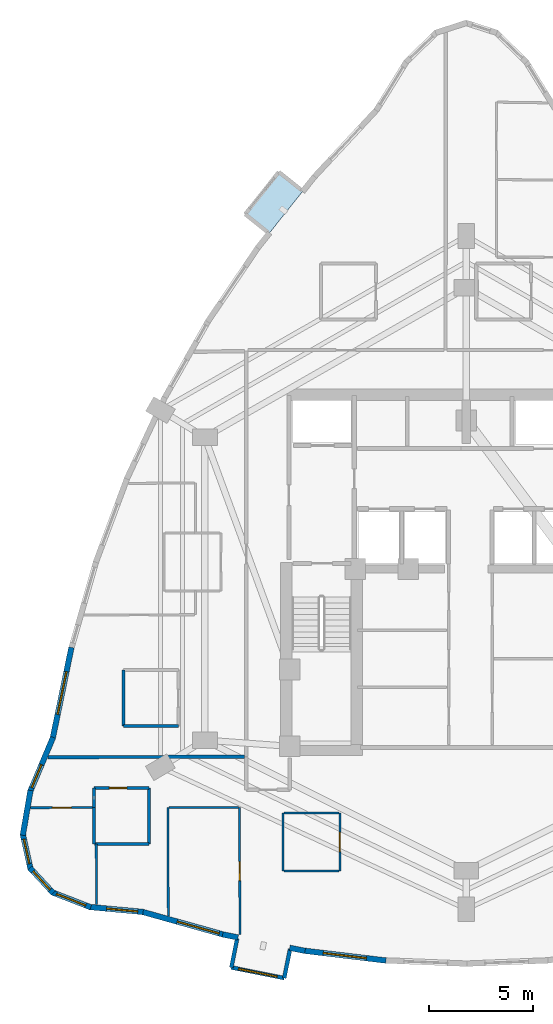
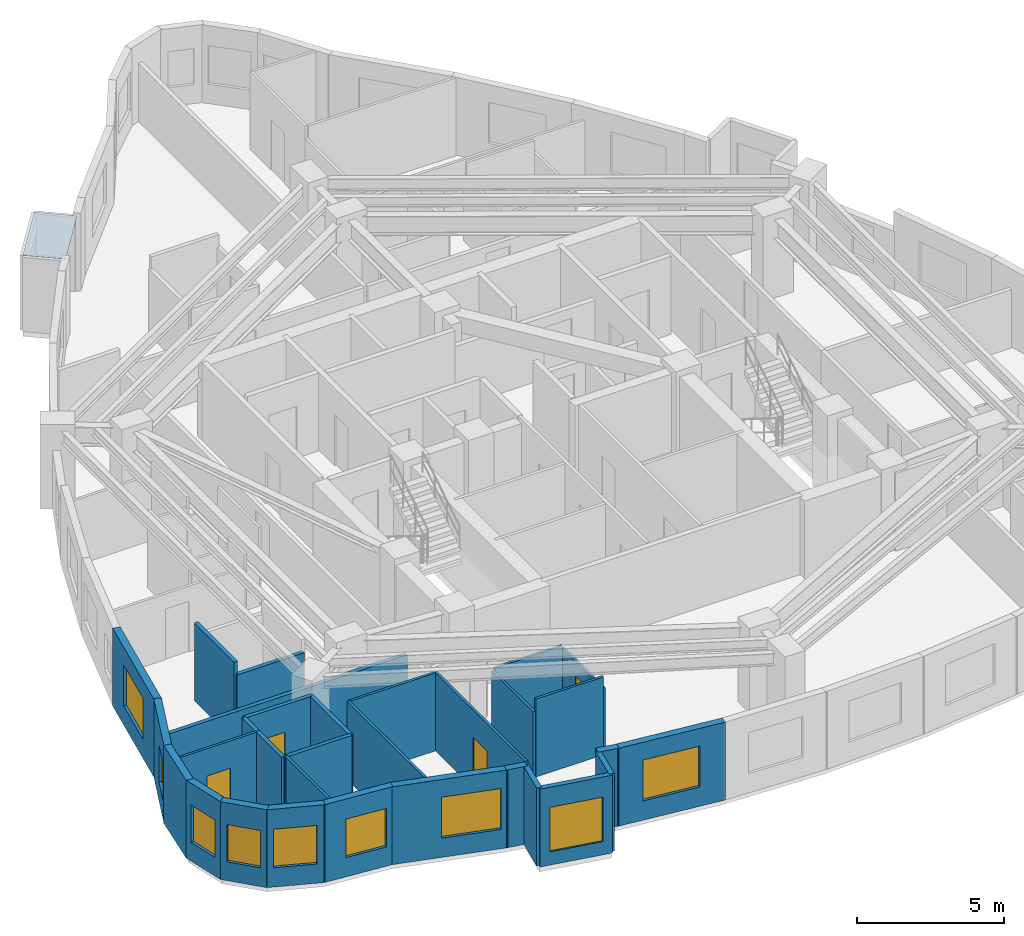
# One storey, part 5 of 11: 31 walls, 9 windows, 4 doors, 1 plate, 13 openings.
"""IFC4 building model written with IfcOpenShell, lengths in metres."""

from ifc_helpers import new_model, si_unit, direction, frame, frame_2d, origin, place, context, subcontext, project, spatial, polyline, rectangle, outline, extrude, material, layer, layer_set, type_object, element, fill, save


model = new_model("IFC4")

# Units and contexts
model_context = context("Model", 3, precision=1e-05, world=origin(), true_north=direction((0.0, 1.0)))
body_context = subcontext(model_context, "Body", "Model", "MODEL_VIEW")
ifc_project = project(units=[si_unit("LENGTHUNIT", "METRE"), si_unit("AREAUNIT", "SQUARE_METRE"), si_unit("VOLUMEUNIT", "CUBIC_METRE"), si_unit("PLANEANGLEUNIT", "RADIAN"), si_unit("MASSUNIT", "GRAM", prefix="KILO")], contexts=[model_context])

# Site, building, storey
site_placement = place(None, origin())
site = spatial("IfcSite", under=ifc_project, at=site_placement, CompositionType="ELEMENT")
building_placement = place(site_placement, origin())
building = spatial("IfcBuilding", under=site, at=building_placement, Name="Miruveldt Soraemaru", CompositionType="ELEMENT")
storey_placement = place(building_placement, frame((0.0, 0.0, 159.89990234375)))
storey = spatial("IfcBuildingStorey", under=building, at=storey_placement, Name="L44", CompositionType="ELEMENT", Elevation=159.89990234375)

# Plate
ifc_material_1 = material(Name="Standing-seam titanium-zinc sheet", Category="aluminium")
ifc_layer_1 = layer(ifc_material_1, 0.011962890625, Name="Standing-seam titanium-zinc sheet", Category="aluminium")
ifc_layer_set_1 = layer_set([ifc_layer_1], Name="Standing-seam titanium-zinc sheet")
plate_type = type_object("IfcPlateType", Name="PLT-ZINC-12", PredefinedType="SHEET", material=ifc_layer_set_1)
plate_placement = place(storey_placement, frame((0.0, 0.0, 3.085205078125)))
element("IfcPlate", 1, at=plate_placement, inside=storey, type_object=plate_type, Name="L44 Bay Window Zinc Hood Sheet 4", PredefinedType="SHEET", context=body_context, shape_type="SweptSolid", body=[
    extrude(outline(polyline([(36.125244140625, 62.258544921875), (34.50390625, 60.226318359375), (33.3466796875, 61.149169921875), (34.96826171875, 63.181640625), (36.125244140625, 62.258544921875)])), origin(), (0.0, 0.0, 1.0), 0.011962890625),
])

# Walls
ifc_material_2 = material(Name="White powder-coated aluminium EN AW-6060 T6", Category="aluminium")
ifc_layer_2 = layer(ifc_material_2, 0.18994140625, Name="White powder-coated aluminium EN AW-6060 T6", Category="aluminium")
ifc_layer_set_2 = layer_set([ifc_layer_2], Name="White powder-coated aluminium EN AW-6060 T6")
wall_type_1 = type_object("IfcWallType", Name="WALL-BAY-ALU190", PredefinedType="SOLIDWALL", material=ifc_layer_set_2)
for number, where, z_axis, x_axis, name in (
    (2, (32.960205078125, 26.23828125, 0.0), (0.0, 0.0, 1.0), (-0.195984352603, -0.980607022989, 0.0), "L44 Bay Window Side Cheek 1L"),
    (3, (35.230224609375, 24.330810546875, 0.0), (0.0, 0.0, 1.0), (0.196149079112, 0.980574086321, 0.0), "L44 Bay Window Side Cheek 1R"),
):
    element("IfcWall", number, at=place(storey_placement, frame(where, z_axis=z_axis, x_axis=x_axis)), inside=storey, type_object=wall_type_1, Name=name, PredefinedType="SOLIDWALL", context=body_context, shape_type="SweptSolid", body=[
        extrude(rectangle(XDim=1.425048828125, YDim=0.18994140625, at=frame_2d((0.71240234375, 0.0))), origin(), (0.0, 0.0, 1.0), 3.235107421875),
    ])

# Wall, opening, window
wall_1_placement = place(storey_placement, frame((32.680908203125, 24.8408203125, 0.0), z_axis=(0.0, 0.0, 1.0), x_axis=(0.980569838849, -0.196170311564, 0.0)))
wall_1 = element("IfcWall", 4, at=wall_1_placement, inside=storey, type_object=wall_type_1, Name="L44 Bay Window Front Frame 1", PredefinedType="SOLIDWALL", context=body_context, shape_type="SweptSolid", body=[
    extrude(rectangle(XDim=2.599853515625, YDim=0.18994140625, at=frame_2d((1.2998046875, 0.0))), origin(), (0.0, 0.0, 1.0), 3.235107421875),
])
opening_1_placement = place(wall_1_placement, frame((0.35009765625, 0.0, 0.550048828125)))
opening_1 = element("IfcOpeningElement", 5, at=opening_1_placement, cuts=wall_1, Name="Opening WN-6", PredefinedType="OPENING", context=body_context, shape_type="SweptSolid", body=[
    extrude(rectangle(XDim=1.89990234375, YDim=1.85009765625, at=frame_2d((0.949951171875, 0.925048828125))), frame((0.0, 0.10498046875, 0.0), z_axis=(0.0, -1.0, 0.0), x_axis=(1.0, 0.0, 0.0)), (0.0, 0.0, 1.0), 0.2099609375),
])
ifc_material_3 = material(Name="Triple low-e insulated glazing", Category="glass")
window_type_1 = type_object("IfcWindowType", Name="WIN-BAYW-1900x1850", PartitioningType="SINGLE_PANEL", PredefinedType="WINDOW", material=ifc_material_3)
window_1_placement = place(opening_1_placement, origin())
window_1 = element("IfcWindow", 6, at=window_1_placement, inside=storey, type_object=window_type_1, Name="L44 Projecting Bay Window 1", OverallHeight=1.85009765625, OverallWidth=1.89990234375, PartitioningType="SINGLE_PANEL", PredefinedType="WINDOW", context=body_context, shape_type="SweptSolid", body=[
    extrude(rectangle(XDim=1.89990234375, YDim=1.85009765625, at=frame_2d((0.949951171875, 0.925048828125))), frame((0.0, 0.030029296875, 0.0), z_axis=(0.0, -1.0, 0.0), x_axis=(1.0, 0.0, 0.0)), (0.0, 0.0, 1.0), 0.06005859375),
])
fill(opening_1, window_1)

ifc_material_4 = material(Name="Precast concrete C45/55 (45 MPa)", Category="concrete")
ifc_layer_3 = layer(ifc_material_4, 0.27001953125, Name="Precast concrete C45/55 (45 MPa)", Category="concrete")
ifc_layer_set_3 = layer_set([ifc_layer_3], Name="Precast concrete C45/55 (45 MPa)")
wall_type_2 = type_object("IfcWallType", Name="WALL-EXT-PC270", PredefinedType="SOLIDWALL", material=ifc_layer_set_3)
wall_2_placement = place(storey_placement, frame((24.970458984375, 40.267333984375, 0.0), z_axis=(0.0, 0.0, 1.0), x_axis=(-0.201559360884, -0.979476300908, 0.0)))
wall_2 = element("IfcWall", 7, at=wall_2_placement, inside=storey, type_object=wall_type_2, Name="L44 Precast Concrete Facade Wall 14", PredefinedType="SOLIDWALL", context=body_context, shape_type="SweptSolid", body=[
    extrude(rectangle(XDim=4.491455078125, YDim=0.27001953125, at=frame_2d((2.24560546875, 0.0))), origin(), (0.0, 0.0, 1.0), 3.235107421875),
])
opening_2_placement = place(wall_2_placement, frame((1.196044921875, 0.0, 0.800048828125)))
opening_2 = element("IfcOpeningElement", 8, at=opening_2_placement, cuts=wall_2, Name="Opening WN-1", PredefinedType="OPENING", context=body_context, shape_type="SweptSolid", body=[
    extrude(rectangle(XDim=2.10009765625, YDim=1.699951171875, at=frame_2d((1.050048828125, 0.85009765625))), frame((0.0, 0.14501953125, 0.0), z_axis=(0.0, -1.0, 0.0), x_axis=(1.0, 0.0, 0.0)), (0.0, 0.0, 1.0), 0.2900390625),
])
window_type_2 = type_object("IfcWindowType", Name="WIN-PUNCH-2100x1700", PartitioningType="SINGLE_PANEL", PredefinedType="WINDOW", material=ifc_material_3)
window_2_placement = place(opening_2_placement, origin())
window_2 = element("IfcWindow", 9, at=window_2_placement, inside=storey, type_object=window_type_2, Name="L44 Punched Triple-Glazed Window 14.1", OverallHeight=1.699951171875, OverallWidth=2.10009765625, PartitioningType="SINGLE_PANEL", PredefinedType="WINDOW", context=body_context, shape_type="SweptSolid", body=[
    extrude(rectangle(XDim=2.10009765625, YDim=1.699951171875, at=frame_2d((1.050048828125, 0.85009765625))), frame((0.0, 0.030029296875, 0.0), z_axis=(0.0, -1.0, 0.0), x_axis=(1.0, 0.0, 0.0)), (0.0, 0.0, 1.0), 0.06005859375),
])
fill(opening_2, window_2)

wall_3_placement = place(storey_placement, frame((24.085693359375, 35.9345703125, 0.0), z_axis=(0.0, 0.0, 1.0), x_axis=(-0.38860845705, -0.921402988442, 0.0)))
wall_3 = element("IfcWall", 10, at=wall_3_placement, inside=storey, type_object=wall_type_2, Name="L44 Precast Concrete Facade Wall 15", PredefinedType="SOLIDWALL", context=body_context, shape_type="SweptSolid", body=[
    extrude(rectangle(XDim=2.849609375, YDim=0.27001953125, at=frame_2d((1.4248046875, 0.0))), origin(), (0.0, 0.0, 1.0), 3.235107421875),
])
opening_3_placement = place(wall_3_placement, frame((1.43408203125, 0.0, 0.780029296875)))
opening_3 = element("IfcOpeningElement", 11, at=opening_3_placement, cuts=wall_3, Name="Opening WN-4", PredefinedType="OPENING", context=body_context, shape_type="SweptSolid", body=[
    extrude(rectangle(XDim=1.199951171875, YDim=1.550048828125, at=frame_2d((0.60009765625, 0.77490234375))), frame((0.0, 0.14501953125, 0.0), z_axis=(0.0, -1.0, 0.0), x_axis=(1.0, 0.0, 0.0)), (0.0, 0.0, 1.0), 0.2900390625),
])
window_type_3 = type_object("IfcWindowType", Name="WIN-PUNCH-1200x1550", PartitioningType="SINGLE_PANEL", PredefinedType="WINDOW", material=ifc_material_3)
window_3_placement = place(opening_3_placement, origin())
window_3 = element("IfcWindow", 12, at=window_3_placement, inside=storey, type_object=window_type_3, Name="L44 Punched Triple-Glazed Window 15.1", OverallHeight=1.550048828125, OverallWidth=1.199951171875, PartitioningType="SINGLE_PANEL", PredefinedType="WINDOW", context=body_context, shape_type="SweptSolid", body=[
    extrude(rectangle(XDim=1.199951171875, YDim=1.550048828125, at=frame_2d((0.60009765625, 0.77490234375))), frame((0.0, 0.030029296875, 0.0), z_axis=(0.0, -1.0, 0.0), x_axis=(1.0, 0.0, 0.0)), (0.0, 0.0, 1.0), 0.06005859375),
])
fill(opening_3, window_3)

# Wall
wall_4_placement = place(storey_placement, frame((22.997802734375, 33.37548828125, 0.0), z_axis=(0.0, 0.0, 1.0), x_axis=(-0.169300112967, -0.98556454469, 0.0)))
element("IfcWall", 13, at=wall_4_placement, inside=storey, type_object=wall_type_2, Name="L44 Precast Concrete Facade Wall 16", PredefinedType="SOLIDWALL", context=body_context, shape_type="SweptSolid", body=[
    extrude(rectangle(XDim=2.1962890625, YDim=0.27001953125, at=frame_2d((1.09814453125, 0.0))), origin(), (0.0, 0.0, 1.0), 3.235107421875),
])

# Wall, opening, window
wall_5_placement = place(storey_placement, frame((22.624267578125, 31.279541015625, 0.0), z_axis=(0.0, 0.0, 1.0), x_axis=(0.215756106761, -0.97644728603, 0.0)))
wall_5 = element("IfcWall", 14, at=wall_5_placement, inside=storey, type_object=wall_type_2, Name="L44 Precast Concrete Facade Wall 17", PredefinedType="SOLIDWALL", context=body_context, shape_type="SweptSolid", body=[
    extrude(rectangle(XDim=1.7392578125, YDim=0.27001953125, at=frame_2d((0.86962890625, 0.0))), origin(), (0.0, 0.0, 1.0), 3.235107421875),
])
opening_4_placement = place(wall_5_placement, frame((0.26904296875, 0.0, 0.780029296875)))
opening_4 = element("IfcOpeningElement", 15, at=opening_4_placement, cuts=wall_5, Name="Opening WN-4", PredefinedType="OPENING", context=body_context, shape_type="SweptSolid", body=[
    extrude(rectangle(XDim=1.199951171875, YDim=1.550048828125, at=frame_2d((0.60009765625, 0.77490234375))), frame((0.0, 0.14501953125, 0.0), z_axis=(0.0, -1.0, 0.0), x_axis=(1.0, 0.0, 0.0)), (0.0, 0.0, 1.0), 0.2900390625),
])
window_4_placement = place(opening_4_placement, origin())
window_4 = element("IfcWindow", 16, at=window_4_placement, inside=storey, type_object=window_type_3, Name="L44 Punched Triple-Glazed Window 17.1", OverallHeight=1.550048828125, OverallWidth=1.199951171875, PartitioningType="SINGLE_PANEL", PredefinedType="WINDOW", context=body_context, shape_type="SweptSolid", body=[
    extrude(rectangle(XDim=1.199951171875, YDim=1.550048828125, at=frame_2d((0.60009765625, 0.77490234375))), frame((0.0, 0.030029296875, 0.0), z_axis=(0.0, -1.0, 0.0), x_axis=(1.0, 0.0, 0.0)), (0.0, 0.0, 1.0), 0.06005859375),
])
fill(opening_4, window_4)

wall_6_placement = place(storey_placement, frame((22.968017578125, 29.64111328125, 0.0), z_axis=(0.0, 0.0, 1.0), x_axis=(0.680185643982, -0.733039896404, 0.0)))
wall_6 = element("IfcWall", 17, at=wall_6_placement, inside=storey, type_object=wall_type_2, Name="L44 Precast Concrete Facade Wall 18", PredefinedType="SOLIDWALL", context=body_context, shape_type="SweptSolid", body=[
    extrude(rectangle(XDim=1.658203125, YDim=0.27001953125, at=frame_2d((0.8291015625, 0.0))), origin(), (0.0, 0.0, 1.0), 3.235107421875),
])
opening_5_placement = place(wall_6_placement, frame((0.22900390625, 0.0, 0.780029296875)))
opening_5 = element("IfcOpeningElement", 18, at=opening_5_placement, cuts=wall_6, Name="Opening WN-4", PredefinedType="OPENING", context=body_context, shape_type="SweptSolid", body=[
    extrude(rectangle(XDim=1.199951171875, YDim=1.550048828125, at=frame_2d((0.60009765625, 0.77490234375))), frame((0.0, 0.14501953125, 0.0), z_axis=(0.0, -1.0, 0.0), x_axis=(1.0, 0.0, 0.0)), (0.0, 0.0, 1.0), 0.2900390625),
])
window_5_placement = place(opening_5_placement, origin())
window_5 = element("IfcWindow", 19, at=window_5_placement, inside=storey, type_object=window_type_3, Name="L44 Punched Triple-Glazed Window 18.1", OverallHeight=1.550048828125, OverallWidth=1.199951171875, PartitioningType="SINGLE_PANEL", PredefinedType="WINDOW", context=body_context, shape_type="SweptSolid", body=[
    extrude(rectangle(XDim=1.199951171875, YDim=1.550048828125, at=frame_2d((0.60009765625, 0.77490234375))), frame((0.0, 0.030029296875, 0.0), z_axis=(0.0, -1.0, 0.0), x_axis=(1.0, 0.0, 0.0)), (0.0, 0.0, 1.0), 0.06005859375),
])
fill(opening_5, window_5)

wall_7_placement = place(storey_placement, frame((24.03955078125, 28.4638671875, 0.0), z_axis=(0.0, 0.0, 1.0), x_axis=(0.932288278252, -0.361716140411, 0.0)))
wall_7 = element("IfcWall", 20, at=wall_7_placement, inside=storey, type_object=wall_type_2, Name="L44 Precast Concrete Facade Wall 19", PredefinedType="SOLIDWALL", context=body_context, shape_type="SweptSolid", body=[
    extrude(rectangle(XDim=2.001220703125, YDim=0.27001953125, at=frame_2d((1.00048828125, 0.0))), origin(), (0.0, 0.0, 1.0), 3.235107421875),
])
opening_6_placement = place(wall_7_placement, frame((0.23095703125, 0.0, 0.800048828125)))
opening_6 = element("IfcOpeningElement", 21, at=opening_6_placement, cuts=wall_7, Name="Opening WN-3", PredefinedType="OPENING", context=body_context, shape_type="SweptSolid", body=[
    extrude(rectangle(XDim=1.5, YDim=1.60009765625, at=frame_2d((0.75, 0.800048828125))), frame((0.0, 0.14501953125, 0.0), z_axis=(0.0, -1.0, 0.0), x_axis=(1.0, 0.0, 0.0)), (0.0, 0.0, 1.0), 0.2900390625),
])
window_type_4 = type_object("IfcWindowType", Name="WIN-PUNCH-1500x1600", PartitioningType="SINGLE_PANEL", PredefinedType="WINDOW", material=ifc_material_3)
window_6_placement = place(opening_6_placement, origin())
window_6 = element("IfcWindow", 22, at=window_6_placement, inside=storey, type_object=window_type_4, Name="L44 Punched Triple-Glazed Window 19.1", OverallHeight=1.60009765625, OverallWidth=1.5, PartitioningType="SINGLE_PANEL", PredefinedType="WINDOW", context=body_context, shape_type="SweptSolid", body=[
    extrude(rectangle(XDim=1.5, YDim=1.60009765625, at=frame_2d((0.75, 0.800048828125))), frame((0.0, 0.030029296875, 0.0), z_axis=(0.0, -1.0, 0.0), x_axis=(1.0, 0.0, 0.0)), (0.0, 0.0, 1.0), 0.06005859375),
])
fill(opening_6, window_6)

wall_8_placement = place(storey_placement, frame((25.837890625, 27.755859375, 0.0), z_axis=(0.0, 0.0, 1.0), x_axis=(0.99576139122, -0.091974190706, 0.0)))
wall_8 = element("IfcWall", 23, at=wall_8_placement, inside=storey, type_object=wall_type_2, Name="L44 Precast Concrete Facade Wall 20", PredefinedType="SOLIDWALL", context=body_context, shape_type="SweptSolid", body=[
    extrude(rectangle(XDim=2.601318359375, YDim=0.27001953125, at=frame_2d((1.30078125, 0.0))), origin(), (0.0, 0.0, 1.0), 3.235107421875),
])
opening_7_placement = place(wall_8_placement, frame((0.8330078125, 0.0, 0.800048828125)))
opening_7 = element("IfcOpeningElement", 24, at=opening_7_placement, cuts=wall_8, Name="Opening WN-3", PredefinedType="OPENING", context=body_context, shape_type="SweptSolid", body=[
    extrude(rectangle(XDim=1.5, YDim=1.60009765625, at=frame_2d((0.75, 0.800048828125))), frame((0.0, 0.14501953125, 0.0), z_axis=(0.0, -1.0, 0.0), x_axis=(1.0, 0.0, 0.0)), (0.0, 0.0, 1.0), 0.2900390625),
])
window_7_placement = place(opening_7_placement, origin())
window_7 = element("IfcWindow", 25, at=window_7_placement, inside=storey, type_object=window_type_4, Name="L44 Punched Triple-Glazed Window 20.1", OverallHeight=1.60009765625, OverallWidth=1.5, PartitioningType="SINGLE_PANEL", PredefinedType="WINDOW", context=body_context, shape_type="SweptSolid", body=[
    extrude(rectangle(XDim=1.5, YDim=1.60009765625, at=frame_2d((0.75, 0.800048828125))), frame((0.0, 0.030029296875, 0.0), z_axis=(0.0, -1.0, 0.0), x_axis=(1.0, 0.0, 0.0)), (0.0, 0.0, 1.0), 0.06005859375),
])
fill(opening_7, window_7)

wall_9_placement = place(storey_placement, frame((28.359619140625, 27.529296875, 0.0), z_axis=(0.0, 0.0, 1.0), x_axis=(0.962963404524, -0.269632122618, 0.0)))
wall_9 = element("IfcWall", 26, at=wall_9_placement, inside=storey, type_object=wall_type_2, Name="L44 Precast Concrete Facade Wall 21", PredefinedType="SOLIDWALL", context=body_context, shape_type="SweptSolid", body=[
    extrude(rectangle(XDim=4.12158203125, YDim=0.27001953125, at=frame_2d((2.060791015625, 0.0))), origin(), (0.0, 0.0, 1.0), 3.235107421875),
])
opening_8_placement = place(wall_9_placement, frame((1.77490234375, 0.0, 0.800048828125)))
opening_8 = element("IfcOpeningElement", 27, at=opening_8_placement, cuts=wall_9, Name="Opening WN-1", PredefinedType="OPENING", context=body_context, shape_type="SweptSolid", body=[
    extrude(rectangle(XDim=2.10009765625, YDim=1.699951171875, at=frame_2d((1.050048828125, 0.85009765625))), frame((0.0, 0.14501953125, 0.0), z_axis=(0.0, -1.0, 0.0), x_axis=(1.0, 0.0, 0.0)), (0.0, 0.0, 1.0), 0.2900390625),
])
window_8_placement = place(opening_8_placement, origin())
window_8 = element("IfcWindow", 28, at=window_8_placement, inside=storey, type_object=window_type_2, Name="L44 Punched Triple-Glazed Window 21.1", OverallHeight=1.699951171875, OverallWidth=2.10009765625, PartitioningType="SINGLE_PANEL", PredefinedType="WINDOW", context=body_context, shape_type="SweptSolid", body=[
    extrude(rectangle(XDim=2.10009765625, YDim=1.699951171875, at=frame_2d((1.050048828125, 0.85009765625))), frame((0.0, 0.030029296875, 0.0), z_axis=(0.0, -1.0, 0.0), x_axis=(1.0, 0.0, 0.0)), (0.0, 0.0, 1.0), 0.06005859375),
])
fill(opening_8, window_8)

# Walls
for number, where, z_axis, x_axis, name in (
    (29, (32.2607421875, 26.434326171875, 0.0), (0.0, 0.0, 1.0), (0.980580675691, -0.196116135138, 0.0), "L44 Precast Pier Wall 22A"),
    (30, (35.4912109375, 25.7880859375, 0.0), (0.0, 0.0, 1.0), (0.980580675691, -0.196116135138, 0.0), "L44 Precast Pier Wall 22B"),
):
    element("IfcWall", number, at=place(storey_placement, frame(where, z_axis=z_axis, x_axis=x_axis)), inside=storey, type_object=wall_type_2, Name=name, PredefinedType="SOLIDWALL", context=body_context, shape_type="SweptSolid", body=[
        extrude(rectangle(XDim=0.75439453125, YDim=0.27001953125, at=frame_2d((0.377197265625, 0.0))), origin(), (0.0, 0.0, 1.0), 3.235107421875),
    ])

# Wall, opening, window
wall_10_placement = place(storey_placement, frame((36.161865234375, 25.651123046875, 0.0), z_axis=(0.0, 0.0, 1.0), x_axis=(0.99287626081, -0.119150034495, 0.0)))
wall_10 = element("IfcWall", 31, at=wall_10_placement, inside=storey, type_object=wall_type_2, Name="L44 Precast Concrete Facade Wall 23", PredefinedType="SOLIDWALL", context=body_context, shape_type="SweptSolid", body=[
    extrude(rectangle(XDim=3.999755859375, YDim=0.27001953125, at=frame_2d((2.0, 0.0))), origin(), (0.0, 0.0, 1.0), 3.235107421875),
])
opening_9_placement = place(wall_10_placement, frame((0.949951171875, 0.0, 0.800048828125)))
opening_9 = element("IfcOpeningElement", 32, at=opening_9_placement, cuts=wall_10, Name="Opening WN-1", PredefinedType="OPENING", context=body_context, shape_type="SweptSolid", body=[
    extrude(rectangle(XDim=2.10009765625, YDim=1.699951171875, at=frame_2d((1.050048828125, 0.85009765625))), frame((0.0, 0.14501953125, 0.0), z_axis=(0.0, -1.0, 0.0), x_axis=(1.0, 0.0, 0.0)), (0.0, 0.0, 1.0), 0.2900390625),
])
window_9_placement = place(opening_9_placement, origin())
window_9 = element("IfcWindow", 33, at=window_9_placement, inside=storey, type_object=window_type_2, Name="L44 Punched Triple-Glazed Window 23.1", OverallHeight=1.699951171875, OverallWidth=2.10009765625, PartitioningType="SINGLE_PANEL", PredefinedType="WINDOW", context=body_context, shape_type="SweptSolid", body=[
    extrude(rectangle(XDim=2.10009765625, YDim=1.699951171875, at=frame_2d((1.050048828125, 0.85009765625))), frame((0.0, 0.030029296875, 0.0), z_axis=(0.0, -1.0, 0.0), x_axis=(1.0, 0.0, 0.0)), (0.0, 0.0, 1.0), 0.06005859375),
])
fill(opening_9, window_9)

# Wall, opening, door
ifc_material_5 = material(Name="Gypsum plasterboard lining", Category="gypsum")
ifc_layer_4 = layer(ifc_material_5, 0.10009765625, Name="Gypsum plasterboard lining", Category="gypsum")
ifc_layer_set_4 = layer_set([ifc_layer_4], Name="Gypsum plasterboard lining")
wall_type_3 = type_object("IfcWallType", Name="WALL-INT-P100", PredefinedType="PARTITIONING", material=ifc_layer_set_4)
wall_11_placement = place(storey_placement, frame((33.075927734375, 32.550048828125, 0.0), z_axis=(0.0, 0.0, 1.0), x_axis=(0.002310290588, -0.999997331275, 0.0)))
wall_11 = element("IfcWall", 34, at=wall_11_placement, inside=storey, type_object=wall_type_3, Name="L44 Partition Wall 74", PredefinedType="PARTITIONING", context=body_context, shape_type="SweptSolid", body=[
    extrude(rectangle(XDim=6.129150390625, YDim=0.10009765625, at=frame_2d((3.064453125, 0.0))), origin(), (0.0, 0.0, 1.0), 3.235107421875),
])
opening_10_placement = place(wall_11_placement, frame((2.60498046875, 0.0, 0.0)))
opening_10 = element("IfcOpeningElement", 35, at=opening_10_placement, cuts=wall_11, Name="Opening D3A", PredefinedType="OPENING", context=body_context, shape_type="SweptSolid", body=[
    extrude(rectangle(XDim=0.919921875, YDim=2.10009765625, at=frame_2d((0.4599609375, 1.050048828125))), frame((0.0, 0.06005859375, 0.0), z_axis=(0.0, -1.0, 0.0), x_axis=(1.0, 0.0, 0.0)), (0.0, 0.0, 1.0), 0.1201171875),
])
ifc_material_6 = material(Name="Anodised aluminium EN AW-6063 T6", Category="aluminium")
door_type_1 = type_object("IfcDoorType", Name="DOOR-INT-920", OperationType="NOTDEFINED", PredefinedType="DOOR", material=ifc_material_6)
door_1_placement = place(opening_10_placement, origin())
door_1 = element("IfcDoor", 36, at=door_1_placement, inside=storey, type_object=door_type_1, Name="L44 Unit 4406 EXT Door", OperationType="SINGLE_SWING_LEFT", OverallHeight=2.10009765625, OverallWidth=0.919921875, PredefinedType="DOOR", context=body_context, shape_type="SweptSolid", body=[
    extrude(rectangle(XDim=0.919921875, YDim=2.10009765625, at=frame_2d((0.4599609375, 1.050048828125))), frame((0.0, 0.02490234375, 0.0), z_axis=(0.0, -1.0, 0.0), x_axis=(1.0, 0.0, 0.0)), (0.0, 0.0, 1.0), 0.050048828125),
])
fill(opening_10, door_1)

wall_12_placement = place(storey_placement, frame((23.006103515625, 32.5380859375, 0.0), z_axis=(0.0, 0.0, 1.0), x_axis=(0.999992080463, 0.003979825531, 0.0)))
wall_12 = element("IfcWall", 37, at=wall_12_placement, inside=storey, type_object=wall_type_3, Name="L44 Partition Wall 70", PredefinedType="PARTITIONING", context=body_context, shape_type="SweptSolid", body=[
    extrude(rectangle(XDim=3.005859375, YDim=0.10009765625, at=frame_2d((1.5029296875, 0.0))), origin(), (0.0, 0.0, 1.0), 3.235107421875),
])
opening_11_placement = place(wall_12_placement, frame((1.04296875, 0.0, 0.0)))
opening_11 = element("IfcOpeningElement", 38, at=opening_11_placement, cuts=wall_12, Name="Opening D3A", PredefinedType="OPENING", context=body_context, shape_type="SweptSolid", body=[
    extrude(rectangle(XDim=0.919921875, YDim=2.10009765625, at=frame_2d((0.4599609375, 1.050048828125))), frame((0.0, 0.06005859375, 0.0), z_axis=(0.0, -1.0, 0.0), x_axis=(1.0, 0.0, 0.0)), (0.0, 0.0, 1.0), 0.1201171875),
])
door_2_placement = place(opening_11_placement, origin())
door_2 = element("IfcDoor", 39, at=door_2_placement, inside=storey, type_object=door_type_1, Name="L44 Unit 4406 BD1 Door", OperationType="SINGLE_SWING_RIGHT", OverallHeight=2.10009765625, OverallWidth=0.919921875, PredefinedType="DOOR", context=body_context, shape_type="SweptSolid", body=[
    extrude(rectangle(XDim=0.919921875, YDim=2.10009765625, at=frame_2d((0.4599609375, 1.050048828125))), frame((0.0, 0.02490234375, 0.0), z_axis=(0.0, -1.0, 0.0), x_axis=(1.0, 0.0, 0.0)), (0.0, 0.0, 1.0), 0.050048828125),
])
fill(opening_11, door_2)

wall_13_placement = place(storey_placement, frame((37.912109375, 29.490966796875, 0.0), z_axis=(0.0, 0.0, 1.0), x_axis=(0.0, 1.0, 0.0)))
wall_13 = element("IfcWall", 40, at=wall_13_placement, inside=storey, type_object=wall_type_3, Name="L44 Partition Wall 66", PredefinedType="PARTITIONING", context=body_context, shape_type="SweptSolid", body=[
    extrude(rectangle(XDim=2.800048828125, YDim=0.10009765625, at=frame_2d((1.39990234375, 0.0))), origin(), (0.0, 0.0, 1.0), 2.72314453125),
])
opening_12_placement = place(wall_13_placement, frame((0.93994140625, 0.0, 0.0)))
opening_12 = element("IfcOpeningElement", 41, at=opening_12_placement, cuts=wall_13, Name="Opening D3A", PredefinedType="OPENING", context=body_context, shape_type="SweptSolid", body=[
    extrude(rectangle(XDim=0.919921875, YDim=2.10009765625, at=frame_2d((0.4599609375, 1.050048828125))), frame((0.0, 0.06005859375, 0.0), z_axis=(0.0, -1.0, 0.0), x_axis=(1.0, 0.0, 0.0)), (0.0, 0.0, 1.0), 0.1201171875),
])
door_3_placement = place(opening_12_placement, origin())
door_3 = element("IfcDoor", 42, at=door_3_placement, inside=storey, type_object=door_type_1, Name="L44 Unit 4406 KIT Door", OperationType="SINGLE_SWING_LEFT", OverallHeight=2.10009765625, OverallWidth=0.919921875, PredefinedType="DOOR", context=body_context, shape_type="SweptSolid", body=[
    extrude(rectangle(XDim=0.919921875, YDim=2.10009765625, at=frame_2d((0.4599609375, 1.050048828125))), frame((0.0, 0.02490234375, 0.0), z_axis=(0.0, -1.0, 0.0), x_axis=(1.0, 0.0, 0.0)), (0.0, 0.0, 1.0), 0.050048828125),
])
fill(opening_12, door_3)

# Walls
wall_14_placement = place(storey_placement, frame((29.64111328125, 27.325927734375, 0.0), z_axis=(0.0, 0.0, 1.0), x_axis=(-0.003645176268, 0.999993356323, 0.0)))
element("IfcWall", 43, at=wall_14_placement, inside=storey, type_object=wall_type_3, Name="L44 Partition Wall 72", PredefinedType="PARTITIONING", context=body_context, shape_type="SweptSolid", body=[
    extrude(rectangle(XDim=5.22412109375, YDim=0.10009765625, at=frame_2d((2.612060546875, 0.0))), origin(), (0.0, 0.0, 1.0), 3.235107421875),
])
wall_15_placement = place(storey_placement, frame((29.672119140625, 32.550048828125, 0.0), z_axis=(0.0, 0.0, 1.0), x_axis=(1.0, 0.0, 0.0)))
element("IfcWall", 44, at=wall_15_placement, inside=storey, type_object=wall_type_3, Name="L44 Partition Wall 73", PredefinedType="PARTITIONING", context=body_context, shape_type="SweptSolid", body=[
    extrude(rectangle(XDim=3.353759765625, YDim=0.10009765625, at=frame_2d((1.6767578125, 0.0))), origin(), (0.0, 0.0, 1.0), 3.235107421875),
])
wall_16_placement = place(storey_placement, frame((26.16796875, 30.791015625, 0.0), z_axis=(0.0, 0.0, 1.0), x_axis=(0.002093096554, -0.999997809471, 0.0)))
element("IfcWall", 45, at=wall_16_placement, inside=storey, type_object=wall_type_3, Name="L44 Partition Wall 71", PredefinedType="PARTITIONING", context=body_context, shape_type="SweptSolid", body=[
    extrude(rectangle(XDim=2.916015625, YDim=0.10009765625, at=frame_2d((1.4580078125, 0.0))), origin(), (0.0, 0.0, 1.0), 3.235107421875),
])
wall_17_placement = place(storey_placement, frame((35.162109375, 32.291015625, 0.0), z_axis=(0.0, 0.0, 1.0), x_axis=(0.0, -1.0, 0.0)))
element("IfcWall", 46, at=wall_17_placement, inside=storey, type_object=wall_type_3, Name="L44 Partition Wall 68", PredefinedType="PARTITIONING", context=body_context, shape_type="SweptSolid", body=[
    extrude(rectangle(XDim=2.800048828125, YDim=0.10009765625, at=frame_2d((1.39990234375, 0.0))), origin(), (0.0, 0.0, 1.0), 2.72314453125),
])
wall_18_placement = place(storey_placement, frame((37.862060546875, 32.291015625, 0.0), z_axis=(0.0, 0.0, 1.0), x_axis=(-1.0, 0.0, 0.0)))
element("IfcWall", 47, at=wall_18_placement, inside=storey, type_object=wall_type_3, Name="L44 Partition Wall 67", PredefinedType="PARTITIONING", context=body_context, shape_type="SweptSolid", body=[
    extrude(rectangle(XDim=2.650146484375, YDim=0.10009765625, at=frame_2d((1.3251953125, 0.0))), origin(), (0.0, 0.0, 1.0), 2.822998046875),
])
wall_19_placement = place(storey_placement, frame((35.2119140625, 29.490966796875, 0.0), z_axis=(0.0, 0.0, 1.0), x_axis=(1.0, 0.0, 0.0)))
element("IfcWall", 48, at=wall_19_placement, inside=storey, type_object=wall_type_3, Name="L44 Partition Wall 69", PredefinedType="PARTITIONING", context=body_context, shape_type="SweptSolid", body=[
    extrude(rectangle(XDim=2.650146484375, YDim=0.10009765625, at=frame_2d((1.3251953125, 0.0))), origin(), (0.0, 0.0, 1.0), 3.235107421875),
])

# Wall, opening, door
ifc_layer_5 = layer(ifc_material_5, 0.14990234375, Name="Gypsum plasterboard lining", Category="gypsum")
ifc_layer_set_5 = layer_set([ifc_layer_5], Name="Gypsum plasterboard lining")
wall_type_4 = type_object("IfcWallType", Name="WALL-INT-PLUMB", PredefinedType="PLUMBINGWALL", material=ifc_layer_set_5)
wall_20_placement = place(storey_placement, frame((28.7119140625, 33.490966796875, 0.0), z_axis=(0.0, 0.0, 1.0), x_axis=(-1.0, 0.0, 0.0)))
wall_20 = element("IfcWall", 49, at=wall_20_placement, inside=storey, type_object=wall_type_4, Name="L44 Partition Wall 63", PredefinedType="PLUMBINGWALL", context=body_context, shape_type="SweptSolid", body=[
    extrude(rectangle(XDim=2.64990234375, YDim=0.14990234375, at=frame_2d((1.324951171875, 0.0))), origin(), (0.0, 0.0, 1.0), 3.235107421875),
])
opening_13_placement = place(wall_20_placement, frame((1.06494140625, 0.0, 0.0)))
opening_13 = element("IfcOpeningElement", 50, at=opening_13_placement, cuts=wall_20, Name="Opening FD3", PredefinedType="OPENING", context=body_context, shape_type="SweptSolid", body=[
    extrude(rectangle(XDim=0.85009765625, YDim=2.10009765625, at=frame_2d((0.425048828125, 1.050048828125))), frame((0.0, 0.0849609375, 0.0), z_axis=(0.0, -1.0, 0.0), x_axis=(1.0, 0.0, 0.0)), (0.0, 0.0, 1.0), 0.169921875),
])
door_type_2 = type_object("IfcDoorType", Name="DOOR-FD3-850", OperationType="NOTDEFINED", PredefinedType="DOOR", material=ifc_material_6)
door_4_placement = place(opening_13_placement, origin())
door_4 = element("IfcDoor", 51, at=door_4_placement, inside=storey, type_object=door_type_2, Name="L44 Unit 4406 BTH Door", OperationType="SINGLE_SWING_RIGHT", OverallHeight=2.10009765625, OverallWidth=0.85009765625, PredefinedType="DOOR", context=body_context, shape_type="SweptSolid", body=[
    extrude(rectangle(XDim=0.85009765625, YDim=2.10009765625, at=frame_2d((0.425048828125, 1.050048828125))), frame((0.0, 0.02490234375, 0.0), z_axis=(0.0, -1.0, 0.0), x_axis=(1.0, 0.0, 0.0)), (0.0, 0.0, 1.0), 0.050048828125),
])
fill(opening_13, door_4)

# Walls
for number, where, z_axis, x_axis, name in (
    (52, (28.7119140625, 30.791015625, 0.0), (0.0, 0.0, 1.0), (0.0, 1.0, 0.0), "L44 Partition Wall 62"),
    (53, (27.47705078125, 39.180908203125, 0.0), (0.0, 0.0, 1.0), (0.0, -1.0, 0.0), "L44 Partition Wall 33"),
):
    element("IfcWall", number, at=place(storey_placement, frame(where, z_axis=z_axis, x_axis=x_axis)), inside=storey, type_object=wall_type_4, Name=name, PredefinedType="PLUMBINGWALL", context=body_context, shape_type="SweptSolid", body=[
        extrude(rectangle(XDim=2.699951171875, YDim=0.14990234375, at=frame_2d((1.35009765625, 0.0))), origin(), (0.0, 0.0, 1.0), 3.235107421875),
    ])
wall_21_placement = place(storey_placement, frame((27.47705078125, 36.48095703125, 0.0), z_axis=(0.0, 0.0, 1.0), x_axis=(1.0, 0.0, 0.0)))
element("IfcWall", 54, at=wall_21_placement, inside=storey, type_object=wall_type_4, Name="L44 Partition Wall 34", PredefinedType="PLUMBINGWALL", context=body_context, shape_type="SweptSolid", body=[
    extrude(rectangle(XDim=2.64990234375, YDim=0.14990234375, at=frame_2d((1.324951171875, 0.0))), origin(), (0.0, 0.0, 1.0), 2.72314453125),
])
wall_22_placement = place(storey_placement, frame((26.077880859375, 30.791015625, 0.0), z_axis=(0.0, 0.0, 1.0), x_axis=(1.0, 0.0, 0.0)))
element("IfcWall", 55, at=wall_22_placement, inside=storey, type_object=wall_type_4, Name="L44 Partition Wall 65", PredefinedType="PLUMBINGWALL", context=body_context, shape_type="SweptSolid", body=[
    extrude(rectangle(XDim=2.634033203125, YDim=0.14990234375, at=frame_2d((1.31689453125, 0.0))), origin(), (0.0, 0.0, 1.0), 3.235107421875),
])
wall_23_placement = place(storey_placement, frame((26.06201171875, 32.550048828125, 0.0), z_axis=(0.0, 0.0, 1.0), x_axis=(0.0, -1.0, 0.0)))
element("IfcWall", 56, at=wall_23_placement, inside=storey, type_object=wall_type_4, Name="L44 Partition Wall 75", PredefinedType="PLUMBINGWALL", context=body_context, shape_type="SweptSolid", body=[
    extrude(rectangle(XDim=1.759033203125, YDim=0.14990234375, at=frame_2d((0.87939453125, 0.0))), origin(), (0.0, 0.0, 1.0), 3.235107421875),
])
wall_24_placement = place(storey_placement, frame((26.06201171875, 33.490966796875, 0.0), z_axis=(0.0, 0.0, 1.0), x_axis=(0.0, -1.0, 0.0)))
element("IfcWall", 57, at=wall_24_placement, inside=storey, type_object=wall_type_4, Name="L44 Partition Wall 64", PredefinedType="PLUMBINGWALL", context=body_context, shape_type="SweptSolid", body=[
    extrude(rectangle(XDim=0.94091796875, YDim=0.14990234375, at=frame_2d((0.470458984375, 0.0))), origin(), (0.0, 0.0, 1.0), 3.235107421875),
])
ifc_material_7 = material(Name="Concrete C40/50 (40 MPa)", Category="concrete")
ifc_layer_6 = layer(ifc_material_7, 0.159912109375, Name="Concrete C40/50 (40 MPa)", Category="concrete")
ifc_layer_set_6 = layer_set([ifc_layer_6], Name="Concrete C40/50 (40 MPa)")
wall_type_5 = type_object("IfcWallType", Name="WALL-INT-RC160", PredefinedType="SOLIDWALL", material=ifc_layer_set_6)
wall_25_placement = place(storey_placement, frame((23.843994140625, 34.97509765625, 0.0), z_axis=(0.0, 0.0, 1.0), x_axis=(0.999996543303, 0.002629331256, 0.0)))
element("IfcWall", 58, at=wall_25_placement, inside=storey, type_object=wall_type_5, Name="L44 Partition Wall 42", PredefinedType="SOLIDWALL", context=body_context, shape_type="SweptSolid", body=[
    extrude(rectangle(XDim=9.470947265625, YDim=0.159912109375, at=frame_2d((4.7353515625, 0.0))), origin(), (0.0, 0.0, 1.0), 2.423095703125),
])

save(model, "model.ifc")
